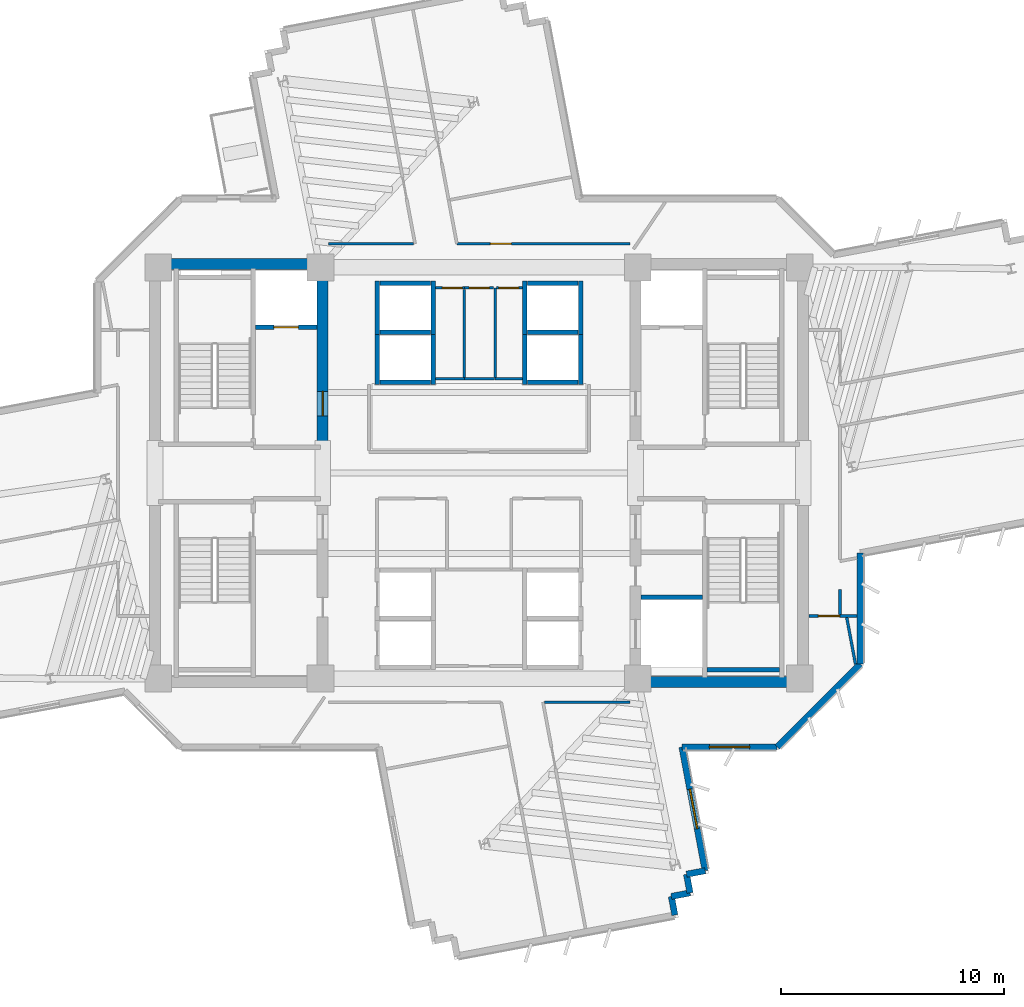
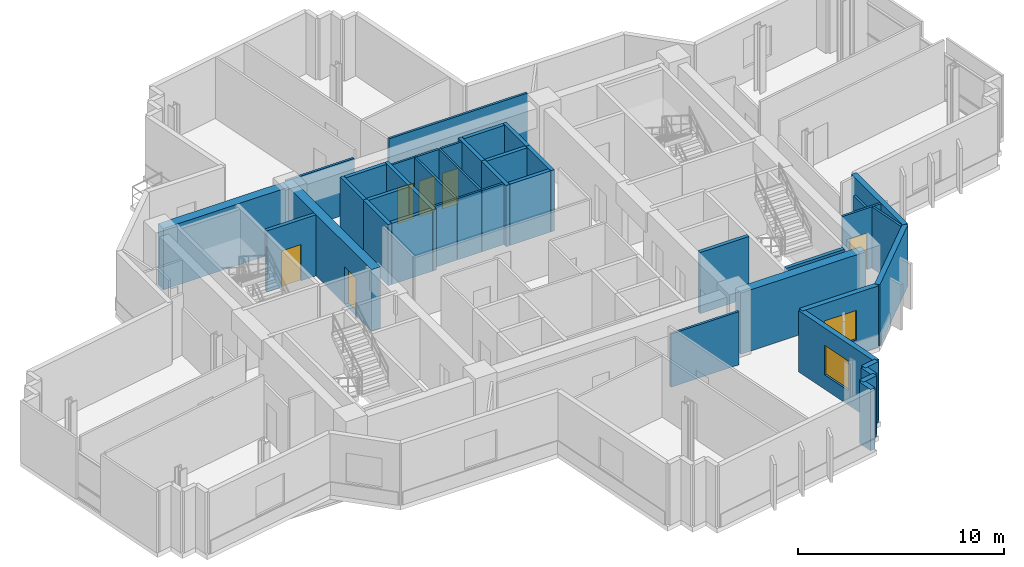
# One storey, part 10 of 16: 42 walls, 7 doors, 2 windows, 9 openings.
"""IFC4 building model written with IfcOpenShell, lengths in metres."""

from ifc_helpers import new_model, si_unit, direction, frame, frame_2d, origin, place, context, subcontext, project, spatial, rectangle, extrude, source, transform, mapped, material, layer, layer_set, type_object, element, fill, save


model = new_model("IFC4")

# Units and contexts
model_context = context("Model", 3, precision=1e-05, world=origin(), true_north=direction((0.0, 1.0)))
body_context = subcontext(model_context, "Body", "Model", "MODEL_VIEW")
ifc_project = project(units=[si_unit("LENGTHUNIT", "METRE"), si_unit("AREAUNIT", "SQUARE_METRE"), si_unit("VOLUMEUNIT", "CUBIC_METRE"), si_unit("PLANEANGLEUNIT", "RADIAN"), si_unit("MASSUNIT", "GRAM", prefix="KILO")], contexts=[model_context])

# Site, building, storey
site_placement = place(None, origin())
site = spatial("IfcSite", under=ifc_project, at=site_placement, CompositionType="ELEMENT")
building_placement = place(site_placement, origin())
building = spatial("IfcBuilding", under=site, at=building_placement, Name="Zahravan Cultural Tower", CompositionType="ELEMENT")
storey_placement = place(building_placement, frame((0.0, 0.0, 147.300048828125)))
storey = spatial("IfcBuildingStorey", under=building, at=storey_placement, Name="L33", CompositionType="ELEMENT", Elevation=147.300048828125)

# Wall, opening, door
ifc_material_1 = material(Name="Concrete C60/75", Category="concrete")
ifc_layer_1 = layer(ifc_material_1, 0.5)
ifc_layer_set_1 = layer_set([ifc_layer_1], Name="Concrete C60/75")
wall_type_1 = type_object("IfcWallType", Name="CW-SHEAR-500-C60", PredefinedType="SHEAR", material=ifc_layer_set_1)
wall_1_placement = place(storey_placement, frame((29.0, 28.050048828125, 0.0), z_axis=(0.0, 0.0, 1.0), x_axis=(0.0, 1.0, 0.0)))
wall_1 = element("IfcWall", 1, at=wall_1_placement, inside=storey, type_object=wall_type_1, Name="L33 Core Shear Wall CW-W-EN-L33", PredefinedType="SHEAR", context=body_context, shape_type="SweptSolid", body=[
    extrude(rectangle(XDim=8.550048828125, YDim=0.5, at=frame_2d((4.27490234375, 0.0))), origin(), (0.0, 0.0, 1.0), 3.619873046875),
])
opening_1_placement = place(wall_1_placement, frame((1.5, 0.0, 0.0)))
opening_1 = element("IfcOpeningElement", 2, at=opening_1_placement, cuts=wall_1, Name="Opening D-L33-05", PredefinedType="OPENING", context=body_context, shape_type="SweptSolid", body=[
    extrude(rectangle(XDim=1.10009765625, YDim=2.199951171875, at=frame_2d((0.550048828125, 1.10009765625))), frame((0.0, 0.260009765625, 0.0), z_axis=(0.0, -1.0, 0.0), x_axis=(1.0, 0.0, 0.0)), (0.0, 0.0, 1.0), 0.52001953125),
])
ifc_material_2 = material(Name="Steel ASTM A572 Grade 50", Category="steel")
door_type_1 = type_object("IfcDoorType", Name="DR-LOBBY-1100", OperationType="NOTDEFINED", PredefinedType="DOOR", material=ifc_material_2)
shared_shape_1 = source(origin(), body_context, "Body", "SweptSolid", [
    extrude(rectangle(XDim=1.10009765625, YDim=2.199951171875, at=frame_2d((0.550048828125, 1.10009765625))), frame((0.0, 0.02490234375, 0.0), z_axis=(0.0, -1.0, 0.0), x_axis=(1.0, 0.0, 0.0)), (0.0, 0.0, 1.0), 0.050048828125),
])
door_1_placement = place(opening_1_placement, origin())
door_1 = element("IfcDoor", 3, at=door_1_placement, inside=storey, type_object=door_type_1, Name="L33 Door D-L33-05", OperationType="SINGLE_SWING_LEFT", OverallHeight=2.199951171875, OverallWidth=1.10009765625, PredefinedType="DOOR", context=body_context, shape_type="MappedRepresentation", body=[
    mapped(shared_shape_1, transform((0.0, 0.0, 0.0), x_axis=(1.0, 0.0, 0.0), y_axis=(0.0, 1.0, 0.0), z_axis=(0.0, 0.0, 1.0), scale=1.0)),
])
fill(opening_1, door_1)

# Wall, opening, window
ifc_material_3 = material(Name="Precast concrete C40/50", Category="concrete")
ifc_layer_2 = layer(ifc_material_3, 0.280029296875)
ifc_layer_set_2 = layer_set([ifc_layer_2], Name="Precast concrete C40/50")
wall_type_2 = type_object("IfcWallType", Name="EW-TC-280", PredefinedType="SOLIDWALL", material=ifc_layer_set_2)
wall_2_placement = place(storey_placement, frame((49.342041015625, 14.739990234375, 0.0), z_axis=(0.0, 0.0, 1.0), x_axis=(-1.0, 0.0, 0.0)))
wall_2 = element("IfcWall", 4, at=wall_2_placement, inside=storey, type_object=wall_type_2, Name="L33 Exterior Masonry Frame Wall 13", PredefinedType="SOLIDWALL", context=body_context, shape_type="SweptSolid", body=[
    extrude(rectangle(XDim=4.262451171875, YDim=0.280029296875, at=frame_2d((2.13134765625, 0.0))), origin(), (0.0, 0.0, 1.0), 3.619873046875),
])
opening_2_placement = place(wall_2_placement, frame((1.23095703125, 0.0, 0.85009765625)))
opening_2 = element("IfcOpeningElement", 5, at=opening_2_placement, cuts=wall_2, Name="Opening WN-02", PredefinedType="OPENING", context=body_context, shape_type="SweptSolid", body=[
    extrude(rectangle(XDim=1.800048828125, YDim=1.75, at=frame_2d((0.89990234375, 0.875))), frame((0.0, 0.14990234375, 0.0), z_axis=(0.0, -1.0, 0.0), x_axis=(1.0, 0.0, 0.0)), (0.0, 0.0, 1.0), 0.300048828125),
])
ifc_material_4 = material(Name="Low-E solar-control double glazing", Category="glass")
window_type = type_object("IfcWindowType", Name="WN-REC-1800X1750", PartitioningType="DOUBLE_PANEL_VERTICAL", PredefinedType="WINDOW", material=ifc_material_4)
shared_shape_2 = source(origin(), body_context, "Body", "SweptSolid", [
    extrude(rectangle(XDim=1.800048828125, YDim=1.75, at=frame_2d((0.89990234375, 0.875))), frame((0.0, 0.030029296875, 0.0), z_axis=(0.0, -1.0, 0.0), x_axis=(1.0, 0.0, 0.0)), (0.0, 0.0, 1.0), 0.06005859375),
])
window_1_placement = place(opening_2_placement, origin())
window_1 = element("IfcWindow", 6, at=window_1_placement, inside=storey, type_object=window_type, Name="L33 Recessed Solar Window 03", OverallHeight=1.75, OverallWidth=1.800048828125, PartitioningType="DOUBLE_PANEL_VERTICAL", PredefinedType="WINDOW", context=body_context, shape_type="MappedRepresentation", body=[
    mapped(shared_shape_2, transform((0.0, 0.0, 0.0), x_axis=(1.0, 0.0, 0.0), y_axis=(0.0, 1.0, 0.0), z_axis=(0.0, 0.0, 1.0), scale=1.0)),
])
fill(opening_2, window_1)

wall_3_placement = place(storey_placement, frame((45.07958984375, 14.739990234375, 0.0), z_axis=(0.0, 0.0, 1.0), x_axis=(0.184678339457, -0.982799018587, 0.0)))
wall_3 = element("IfcWall", 7, at=wall_3_placement, inside=storey, type_object=wall_type_2, Name="L33 Exterior Masonry Frame Wall 14", PredefinedType="SOLIDWALL", context=body_context, shape_type="SweptSolid", body=[
    extrude(rectangle(XDim=5.63427734375, YDim=0.280029296875, at=frame_2d((2.817138671875, 0.0))), origin(), (0.0, 0.0, 1.0), 3.619873046875),
])
opening_3_placement = place(wall_3_placement, frame((1.9169921875, 0.0, 0.85009765625)))
opening_3 = element("IfcOpeningElement", 8, at=opening_3_placement, cuts=wall_3, Name="Opening WN-02", PredefinedType="OPENING", context=body_context, shape_type="SweptSolid", body=[
    extrude(rectangle(XDim=1.800048828125, YDim=1.75, at=frame_2d((0.89990234375, 0.875))), frame((0.0, 0.14990234375, 0.0), z_axis=(0.0, -1.0, 0.0), x_axis=(1.0, 0.0, 0.0)), (0.0, 0.0, 1.0), 0.300048828125),
])
window_2_placement = place(opening_3_placement, origin())
window_2 = element("IfcWindow", 9, at=window_2_placement, inside=storey, type_object=window_type, Name="L33 Recessed Solar Window 04", OverallHeight=1.75, OverallWidth=1.800048828125, PartitioningType="DOUBLE_PANEL_VERTICAL", PredefinedType="WINDOW", context=body_context, shape_type="MappedRepresentation", body=[
    mapped(shared_shape_2, transform((0.0, 0.0, 0.0), x_axis=(1.0, 0.0, 0.0), y_axis=(0.0, 1.0, 0.0), z_axis=(0.0, 0.0, 1.0), scale=1.0)),
])
fill(opening_3, window_2)

# Wall, opening, door
ifc_material_5 = material(Name="Gypsum plasterboard partition")
ifc_layer_3 = layer(ifc_material_5, 0.125)
ifc_layer_set_3 = layer_set([ifc_layer_3], Name="Gypsum plasterboard partition")
wall_type_3 = type_object("IfcWallType", Name="W-PART-125", PredefinedType="PARTITIONING", material=ifc_layer_set_3)
wall_4_placement = place(storey_placement, frame((50.7548828125, 20.60009765625, 0.0), z_axis=(0.0, 0.0, 1.0), x_axis=(0.99999875384, 0.001578708001, 0.0)))
wall_4 = element("IfcWall", 10, at=wall_4_placement, inside=storey, type_object=wall_type_3, Name="L33 Interior Wall 065", PredefinedType="PARTITIONING", context=body_context, shape_type="SweptSolid", body=[
    extrude(rectangle(XDim=2.1650390625, YDim=0.125, at=frame_2d((1.08251953125, 0.0))), origin(), (0.0, 0.0, 1.0), 3.619873046875),
])
opening_4_placement = place(wall_4_placement, frame((0.42529296875, 0.0, 0.0)))
opening_4 = element("IfcOpeningElement", 11, at=opening_4_placement, cuts=wall_4, Name="Opening D-L33-18", PredefinedType="OPENING", context=body_context, shape_type="SweptSolid", body=[
    extrude(rectangle(XDim=0.949951171875, YDim=2.14990234375, at=frame_2d((0.47509765625, 1.074951171875))), frame((0.0, 0.072509765625, 0.0), z_axis=(0.0, -1.0, 0.0), x_axis=(1.0, 0.0, 0.0)), (0.0, 0.0, 1.0), 0.14501953125),
])
ifc_material_6 = material(Name="Anodised bronze-aluminium mullion", Category="aluminium")
door_type_2 = type_object("IfcDoorType", Name="DR-ROOM-950", OperationType="NOTDEFINED", PredefinedType="DOOR", material=ifc_material_6)
shared_shape_3 = source(origin(), body_context, "Body", "SweptSolid", [
    extrude(rectangle(XDim=0.949951171875, YDim=2.14990234375, at=frame_2d((0.47509765625, 1.074951171875))), frame((0.0, 0.02490234375, 0.0), z_axis=(0.0, -1.0, 0.0), x_axis=(1.0, 0.0, 0.0)), (0.0, 0.0, 1.0), 0.050048828125),
])
door_2_placement = place(opening_4_placement, origin())
door_2 = element("IfcDoor", 12, at=door_2_placement, inside=storey, type_object=door_type_2, Name="L33 Door D-L33-18", OperationType="SINGLE_SWING_RIGHT", OverallHeight=2.14990234375, OverallWidth=0.949951171875, PredefinedType="DOOR", context=body_context, shape_type="MappedRepresentation", body=[
    mapped(shared_shape_3, transform((0.0, 0.0, 0.0), x_axis=(1.0, 0.0, 0.0), y_axis=(0.0, 1.0, 0.0), z_axis=(0.0, 0.0, 1.0), scale=1.0)),
])
fill(opening_4, door_2)

wall_5_placement = place(storey_placement, frame((42.7490234375, 37.259033203125, 0.0), z_axis=(0.0, 0.0, 1.0), x_axis=(-0.999999992041, 0.000126163065, 0.0)))
wall_5 = element("IfcWall", 13, at=wall_5_placement, inside=storey, type_object=wall_type_3, Name="L33 Interior Wall 076", PredefinedType="PARTITIONING", context=body_context, shape_type="SweptSolid", body=[
    extrude(rectangle(XDim=7.740478515625, YDim=0.125, at=frame_2d((3.8701171875, 0.0))), origin(), (0.0, 0.0, 1.0), 3.619873046875),
])
opening_5_placement = place(wall_5_placement, frame((5.29638671875, 0.0, 0.0)))
opening_5 = element("IfcOpeningElement", 14, at=opening_5_placement, cuts=wall_5, Name="Opening D-L33-21", PredefinedType="OPENING", context=body_context, shape_type="SweptSolid", body=[
    extrude(rectangle(XDim=0.949951171875, YDim=2.14990234375, at=frame_2d((0.47509765625, 1.074951171875))), frame((0.0, 0.072509765625, 0.0), z_axis=(0.0, -1.0, 0.0), x_axis=(1.0, 0.0, 0.0)), (0.0, 0.0, 1.0), 0.14501953125),
])
door_3_placement = place(opening_5_placement, origin())
door_3 = element("IfcDoor", 15, at=door_3_placement, inside=storey, type_object=door_type_2, Name="L33 Door D-L33-21", OperationType="SINGLE_SWING_LEFT", OverallHeight=2.14990234375, OverallWidth=0.949951171875, PredefinedType="DOOR", context=body_context, shape_type="MappedRepresentation", body=[
    mapped(shared_shape_3, transform((0.0, 0.0, 0.0), x_axis=(1.0, 0.0, 0.0), y_axis=(0.0, 1.0, 0.0), z_axis=(0.0, 0.0, 1.0), scale=1.0)),
])
fill(opening_5, door_3)

ifc_material_7 = material(Name="Concrete C45/55", Category="concrete")
ifc_layer_4 = layer(ifc_material_7, 0.199951171875)
ifc_layer_set_4 = layer_set([ifc_layer_4], Name="Concrete C45/55")
wall_type_4 = type_object("IfcWallType", Name="W-SHAFT-200", PredefinedType="SOLIDWALL", material=ifc_layer_set_4)
wall_6_placement = place(storey_placement, frame((26.0, 33.52001953125, 0.0), z_axis=(0.0, 0.0, 1.0), x_axis=(1.0, 0.0, 0.0)))
wall_6 = element("IfcWall", 16, at=wall_6_placement, inside=storey, type_object=wall_type_4, Name="L33 Interior Wall 021", PredefinedType="SOLIDWALL", context=body_context, shape_type="SweptSolid", body=[
    extrude(rectangle(XDim=2.75, YDim=0.199951171875, at=frame_2d((1.375, 0.0))), origin(), (0.0, 0.0, 1.0), 3.619873046875),
])
opening_6_placement = place(wall_6_placement, frame((0.820068359375, 0.0, 0.0)))
opening_6 = element("IfcOpeningElement", 17, at=opening_6_placement, cuts=wall_6, Name="Opening LD-L33-01", PredefinedType="OPENING", context=body_context, shape_type="SweptSolid", body=[
    extrude(rectangle(XDim=1.10009765625, YDim=2.14990234375, at=frame_2d((0.550048828125, 1.074951171875))), frame((0.0, 0.10986328125, 0.0), z_axis=(0.0, -1.0, 0.0), x_axis=(1.0, 0.0, 0.0)), (0.0, 0.0, 1.0), 0.219970703125),
])
door_type_3 = type_object("IfcDoorType", Name="DR-LIFT-1100", OperationType="DOUBLE_DOOR_SLIDING", PredefinedType="DOOR", material=ifc_material_2)
shared_shape_4 = source(origin(), body_context, "Body", "SweptSolid", [
    extrude(rectangle(XDim=1.10009765625, YDim=2.14990234375, at=frame_2d((0.550048828125, 1.074951171875))), frame((0.0, 0.02490234375, 0.0), z_axis=(0.0, -1.0, 0.0), x_axis=(1.0, 0.0, 0.0)), (0.0, 0.0, 1.0), 0.050048828125),
])
door_4_placement = place(opening_6_placement, origin())
door_4 = element("IfcDoor", 18, at=door_4_placement, inside=storey, type_object=door_type_3, Name="L33 Door LD-L33-01", OperationType="DOUBLE_DOOR_SLIDING", OverallHeight=2.14990234375, OverallWidth=1.10009765625, PredefinedType="DOOR", context=body_context, shape_type="MappedRepresentation", body=[
    mapped(shared_shape_4, transform((0.0, 0.0, 0.0), x_axis=(1.0, 0.0, 0.0), y_axis=(0.0, 1.0, 0.0), z_axis=(0.0, 0.0, 1.0), scale=1.0)),
])
fill(opening_6, door_4)

ifc_layer_5 = layer(ifc_material_5, 0.114990234375)
ifc_layer_set_5 = layer_set([ifc_layer_5], Name="Gypsum plasterboard partition")
wall_type_5 = type_object("IfcWallType", Name="W-WC-115", PredefinedType="PARTITIONING", material=ifc_layer_set_5)
wall_7_placement = place(storey_placement, frame((36.782470703125, 35.280029296875, 0.0), z_axis=(0.0, 0.0, 1.0), x_axis=(1.0, 0.0, 0.0)))
wall_7 = element("IfcWall", 19, at=wall_7_placement, inside=storey, type_object=wall_type_5, Name="L33 Interior Wall 056", PredefinedType="PARTITIONING", context=body_context, shape_type="SweptSolid", body=[
    extrude(rectangle(XDim=1.16259765625, YDim=0.114990234375, at=frame_2d((0.581298828125, 0.0))), origin(), (0.0, 0.0, 1.0), 3.619873046875),
])
opening_7_placement = place(wall_7_placement, frame((0.0888671875, 0.0, 0.0)))
opening_7 = element("IfcOpeningElement", 20, at=opening_7_placement, cuts=wall_7, Name="Opening D-L33-15", PredefinedType="OPENING", context=body_context, shape_type="SweptSolid", body=[
    extrude(rectangle(XDim=0.89990234375, YDim=2.10009765625, at=frame_2d((0.449951171875, 1.050048828125))), frame((0.0, 0.0673828125, 0.0), z_axis=(0.0, -1.0, 0.0), x_axis=(1.0, 0.0, 0.0)), (0.0, 0.0, 1.0), 0.135009765625),
])
door_type_4 = type_object("IfcDoorType", Name="DR-WC-900", OperationType="NOTDEFINED", PredefinedType="DOOR", material=ifc_material_6)
shared_shape_5 = source(origin(), body_context, "Body", "SweptSolid", [
    extrude(rectangle(XDim=0.89990234375, YDim=2.10009765625, at=frame_2d((0.449951171875, 1.050048828125))), frame((0.0, 0.02490234375, 0.0), z_axis=(0.0, -1.0, 0.0), x_axis=(1.0, 0.0, 0.0)), (0.0, 0.0, 1.0), 0.050048828125),
])
door_5_placement = place(opening_7_placement, origin())
door_5 = element("IfcDoor", 21, at=door_5_placement, inside=storey, type_object=door_type_4, Name="L33 Door D-L33-15", OperationType="SINGLE_SWING_LEFT", OverallHeight=2.10009765625, OverallWidth=0.89990234375, PredefinedType="DOOR", context=body_context, shape_type="MappedRepresentation", body=[
    mapped(shared_shape_5, transform((0.0, 0.0, 0.0), x_axis=(1.0, 0.0, 0.0), y_axis=(0.0, 1.0, 0.0), z_axis=(0.0, 0.0, 1.0), scale=1.0)),
])
fill(opening_7, door_5)

wall_8_placement = place(storey_placement, frame((34.054931640625, 35.280029296875, 0.0), z_axis=(0.0, 0.0, 1.0), x_axis=(1.0, 0.0, 0.0)))
wall_8 = element("IfcWall", 22, at=wall_8_placement, inside=storey, type_object=wall_type_5, Name="L33 Interior Wall 058", PredefinedType="PARTITIONING", context=body_context, shape_type="SweptSolid", body=[
    extrude(rectangle(XDim=1.28515625, YDim=0.114990234375, at=frame_2d((0.642578125, 0.0))), origin(), (0.0, 0.0, 1.0), 3.619873046875),
])
opening_8_placement = place(wall_8_placement, frame((0.30029296875, 0.0, 0.0)))
opening_8 = element("IfcOpeningElement", 23, at=opening_8_placement, cuts=wall_8, Name="Opening D-L33-13", PredefinedType="OPENING", context=body_context, shape_type="SweptSolid", body=[
    extrude(rectangle(XDim=0.89990234375, YDim=2.10009765625, at=frame_2d((0.449951171875, 1.050048828125))), frame((0.0, 0.0673828125, 0.0), z_axis=(0.0, -1.0, 0.0), x_axis=(1.0, 0.0, 0.0)), (0.0, 0.0, 1.0), 0.135009765625),
])
door_6_placement = place(opening_8_placement, origin())
door_6 = element("IfcDoor", 24, at=door_6_placement, inside=storey, type_object=door_type_4, Name="L33 Door D-L33-13", OperationType="SINGLE_SWING_LEFT", OverallHeight=2.10009765625, OverallWidth=0.89990234375, PredefinedType="DOOR", context=body_context, shape_type="MappedRepresentation", body=[
    mapped(shared_shape_5, transform((0.0, 0.0, 0.0), x_axis=(1.0, 0.0, 0.0), y_axis=(0.0, 1.0, 0.0), z_axis=(0.0, 0.0, 1.0), scale=1.0)),
])
fill(opening_8, door_6)

wall_9_placement = place(storey_placement, frame((35.360107421875, 35.280029296875, 0.0), z_axis=(0.0, 0.0, 1.0), x_axis=(1.0, 0.0, 0.0)))
wall_9 = element("IfcWall", 25, at=wall_9_placement, inside=storey, type_object=wall_type_5, Name="L33 Interior Wall 061", PredefinedType="PARTITIONING", context=body_context, shape_type="SweptSolid", body=[
    extrude(rectangle(XDim=1.29736328125, YDim=0.114990234375, at=frame_2d((0.648681640625, 0.0))), origin(), (0.0, 0.0, 1.0), 3.619873046875),
])
opening_9_placement = place(wall_9_placement, frame((0.19873046875, 0.0, 0.0)))
opening_9 = element("IfcOpeningElement", 26, at=opening_9_placement, cuts=wall_9, Name="Opening D-L33-14", PredefinedType="OPENING", context=body_context, shape_type="SweptSolid", body=[
    extrude(rectangle(XDim=0.89990234375, YDim=2.10009765625, at=frame_2d((0.449951171875, 1.050048828125))), frame((0.0, 0.0673828125, 0.0), z_axis=(0.0, -1.0, 0.0), x_axis=(1.0, 0.0, 0.0)), (0.0, 0.0, 1.0), 0.135009765625),
])
door_7_placement = place(opening_9_placement, origin())
door_7 = element("IfcDoor", 27, at=door_7_placement, inside=storey, type_object=door_type_4, Name="L33 Door D-L33-14", OperationType="SINGLE_SWING_RIGHT", OverallHeight=2.10009765625, OverallWidth=0.89990234375, PredefinedType="DOOR", context=body_context, shape_type="MappedRepresentation", body=[
    mapped(shared_shape_5, transform((0.0, 0.0, 0.0), x_axis=(1.0, 0.0, 0.0), y_axis=(0.0, 1.0, 0.0), z_axis=(0.0, 0.0, 1.0), scale=1.0)),
])
fill(opening_9, door_7)

# Walls
shared_shape_6 = source(origin(), body_context, "Body", "SweptSolid", [
    extrude(rectangle(XDim=7.0, YDim=0.5, at=frame_2d((3.5, 0.0))), origin(), (0.0, 0.0, 1.0), 3.619873046875),
])
for number, where, z_axis, x_axis, name in (
    (28, (21.75, 36.35009765625, 0.0), (0.0, 0.0, 1.0), (1.0, 0.0, 0.0), "L33 Core Shear Wall CW-W-N-L33"),
    (29, (43.25, 17.64990234375, 0.0), (0.0, 0.0, 1.0), (1.0, 0.0, 0.0), "L33 Core Shear Wall CW-E-S-L33"),
):
    element("IfcWall", number, at=place(storey_placement, frame(where, z_axis=z_axis, x_axis=x_axis)), inside=storey, type_object=wall_type_1, Name=name, PredefinedType="SHEAR", context=body_context, shape_type="MappedRepresentation", body=[
        mapped(shared_shape_6, transform((0.0, 0.0, 0.0), x_axis=(1.0, 0.0, 0.0), y_axis=(0.0, 1.0, 0.0), z_axis=(0.0, 0.0, 1.0), scale=1.0)),
    ])
shared_shape_7 = source(origin(), body_context, "Body", "SweptSolid", [
    extrude(rectangle(XDim=0.85009765625, YDim=0.280029296875, at=frame_2d((0.425048828125, 0.0))), origin(), (0.0, 0.0, 1.0), 3.619873046875),
])
for number, where, z_axis, x_axis, name in (
    (30, (46.1201171875, 9.20263671875, 0.0), (0.0, 0.0, 1.0), (-0.982800583684, -0.184670010318, 0.0), "L33 Exterior Masonry Frame Wall 15"),
    (31, (45.28466796875, 9.045654296875, 0.0), (0.0, 0.0, 1.0), (0.184670010318, -0.982800583684, 0.0), "L33 Exterior Masonry Frame Wall 16"),
    (32, (45.441650390625, 8.210205078125, 0.0), (0.0, 0.0, 1.0), (-0.982800583684, -0.184670010318, 0.0), "L33 Exterior Masonry Frame Wall 17"),
    (33, (44.606201171875, 8.05322265625, 0.0), (0.0, 0.0, 1.0), (0.184670010318, -0.982800583684, 0.0), "L33 Exterior Masonry Frame Wall 18"),
):
    element("IfcWall", number, at=place(storey_placement, frame(where, z_axis=z_axis, x_axis=x_axis)), inside=storey, type_object=wall_type_2, Name=name, PredefinedType="SOLIDWALL", context=body_context, shape_type="MappedRepresentation", body=[
        mapped(shared_shape_7, transform((0.0, 0.0, 0.0), x_axis=(1.0, 0.0, 0.0), y_axis=(0.0, 1.0, 0.0), z_axis=(0.0, 0.0, 1.0), scale=1.0)),
    ])
shared_shape_8 = source(origin(), body_context, "Body", "SweptSolid", [
    extrude(rectangle(XDim=5.258056640625, YDim=0.280029296875, at=frame_2d((2.62890625, 0.0))), origin(), (0.0, 0.0, 1.0), 3.619873046875),
])
wall_10_placement = place(storey_placement, frame((53.06005859375, 18.4580078125, 0.0), z_axis=(0.0, 0.0, 1.0), x_axis=(-0.707106781187, -0.707106781187, 0.0)))
element("IfcWall", 34, at=wall_10_placement, inside=storey, type_object=wall_type_2, Name="L33 Exterior Masonry Frame Wall 12", PredefinedType="SOLIDWALL", context=body_context, shape_type="MappedRepresentation", body=[
    mapped(shared_shape_8, transform((0.0, 0.0, 0.0), x_axis=(1.0, 0.0, 0.0), y_axis=(0.0, 1.0, 0.0), z_axis=(0.0, 0.0, 1.0), scale=1.0)),
])
shared_shape_9 = source(origin(), body_context, "Body", "SweptSolid", [
    extrude(rectangle(XDim=4.970458984375, YDim=0.280029296875, at=frame_2d((2.4853515625, 0.0))), origin(), (0.0, 0.0, 1.0), 3.619873046875),
])
wall_11_placement = place(storey_placement, frame((53.06005859375, 23.428466796875, 0.0), z_axis=(0.0, 0.0, 1.0), x_axis=(0.0, -1.0, 0.0)))
element("IfcWall", 35, at=wall_11_placement, inside=storey, type_object=wall_type_2, Name="L33 Exterior Masonry Frame Wall 11", PredefinedType="SOLIDWALL", context=body_context, shape_type="MappedRepresentation", body=[
    mapped(shared_shape_9, transform((0.0, 0.0, 0.0), x_axis=(1.0, 0.0, 0.0), y_axis=(0.0, 1.0, 0.0), z_axis=(0.0, 0.0, 1.0), scale=1.0)),
])
shared_shape_10 = source(origin(), body_context, "Body", "SweptSolid", [
    extrude(rectangle(XDim=3.25, YDim=0.199951171875, at=frame_2d((1.625, 0.0))), origin(), (0.0, 0.0, 1.0), 3.619873046875),
])
wall_12_placement = place(storey_placement, frame((46.199951171875, 18.199951171875, 0.0), z_axis=(0.0, 0.0, 1.0), x_axis=(1.0, 0.0, 0.0)))
element("IfcWall", 36, at=wall_12_placement, inside=storey, type_object=wall_type_4, Name="L33 Interior Wall 020", PredefinedType="SOLIDWALL", context=body_context, shape_type="MappedRepresentation", body=[
    mapped(shared_shape_10, transform((0.0, 0.0, 0.0), x_axis=(1.0, 0.0, 0.0), y_axis=(0.0, 1.0, 0.0), z_axis=(0.0, 0.0, 1.0), scale=1.0)),
])
shared_shape_11 = source(origin(), body_context, "Body", "SweptSolid", [
    extrude(rectangle(XDim=2.75, YDim=0.199951171875, at=frame_2d((1.375, 0.0))), origin(), (0.0, 0.0, 1.0), 3.619873046875),
])
wall_13_placement = place(storey_placement, frame((43.25, 21.449951171875, 0.0), z_axis=(0.0, 0.0, 1.0), x_axis=(1.0, 0.0, 0.0)))
element("IfcWall", 37, at=wall_13_placement, inside=storey, type_object=wall_type_4, Name="L33 Interior Wall 025", PredefinedType="SOLIDWALL", context=body_context, shape_type="MappedRepresentation", body=[
    mapped(shared_shape_11, transform((0.0, 0.0, 0.0), x_axis=(1.0, 0.0, 0.0), y_axis=(0.0, 1.0, 0.0), z_axis=(0.0, 0.0, 1.0), scale=1.0)),
])
shared_shape_12 = source(origin(), body_context, "Body", "SweptSolid", [
    extrude(rectangle(XDim=2.400146484375, YDim=0.199951171875, at=frame_2d((1.2001953125, 0.0))), origin(), (0.0, 0.0, 1.0), 3.619873046875),
])
for number, where, z_axis, x_axis, name in (
    (38, (31.449951171875, 33.199951171875, 0.0), (0.0, 0.0, 1.0), (0.0, 1.0, 0.0), "L33 Interior Wall 026"),
    (39, (33.949951171875, 33.199951171875, 0.0), (0.0, 0.0, 1.0), (0.0, 1.0, 0.0), "L33 Interior Wall 027"),
    (40, (31.449951171875, 30.949951171875, 0.0), (0.0, 0.0, 1.0), (0.0, 1.0, 0.0), "L33 Interior Wall 030"),
    (41, (33.949951171875, 30.949951171875, 0.0), (0.0, 0.0, 1.0), (0.0, 1.0, 0.0), "L33 Interior Wall 031"),
    (42, (38.050048828125, 33.199951171875, 0.0), (0.0, 0.0, 1.0), (0.0, 1.0, 0.0), "L33 Interior Wall 033"),
    (43, (40.550048828125, 33.199951171875, 0.0), (0.0, 0.0, 1.0), (0.0, 1.0, 0.0), "L33 Interior Wall 034"),
    (44, (38.050048828125, 30.949951171875, 0.0), (0.0, 0.0, 1.0), (0.0, 1.0, 0.0), "L33 Interior Wall 037"),
    (45, (40.550048828125, 30.949951171875, 0.0), (0.0, 0.0, 1.0), (0.0, 1.0, 0.0), "L33 Interior Wall 038"),
):
    element("IfcWall", number, at=place(storey_placement, frame(where, z_axis=z_axis, x_axis=x_axis)), inside=storey, type_object=wall_type_4, Name=name, PredefinedType="SOLIDWALL", context=body_context, shape_type="MappedRepresentation", body=[
        mapped(shared_shape_12, transform((0.0, 0.0, 0.0), x_axis=(1.0, 0.0, 0.0), y_axis=(0.0, 1.0, 0.0), z_axis=(0.0, 0.0, 1.0), scale=1.0)),
    ])
shared_shape_13 = source(origin(), body_context, "Body", "SweptSolid", [
    extrude(rectangle(XDim=2.260009765625, YDim=0.199951171875, at=frame_2d((1.1298828125, 0.0))), origin(), (0.0, 0.0, 1.0), 3.619873046875),
])
for number, where, z_axis, x_axis, name in (
    (46, (31.570068359375, 33.300048828125, 0.0), (0.0, 0.0, 1.0), (1.0, 0.0, 0.0), "L33 Interior Wall 028"),
    (47, (31.570068359375, 35.5, 0.0), (0.0, 0.0, 1.0), (1.0, 0.0, 0.0), "L33 Interior Wall 029"),
    (48, (31.570068359375, 31.050048828125, 0.0), (0.0, 0.0, 1.0), (1.0, 0.0, 0.0), "L33 Interior Wall 032"),
    (49, (38.169921875, 33.300048828125, 0.0), (0.0, 0.0, 1.0), (1.0, 0.0, 0.0), "L33 Interior Wall 035"),
    (50, (38.169921875, 35.5, 0.0), (0.0, 0.0, 1.0), (1.0, 0.0, 0.0), "L33 Interior Wall 036"),
    (51, (38.169921875, 31.050048828125, 0.0), (0.0, 0.0, 1.0), (1.0, 0.0, 0.0), "L33 Interior Wall 039"),
):
    element("IfcWall", number, at=place(storey_placement, frame(where, z_axis=z_axis, x_axis=x_axis)), inside=storey, type_object=wall_type_4, Name=name, PredefinedType="SOLIDWALL", context=body_context, shape_type="MappedRepresentation", body=[
        mapped(shared_shape_13, transform((0.0, 0.0, 0.0), x_axis=(1.0, 0.0, 0.0), y_axis=(0.0, 1.0, 0.0), z_axis=(0.0, 0.0, 1.0), scale=1.0)),
    ])
shared_shape_14 = source(origin(), body_context, "Body", "SweptSolid", [
    extrude(rectangle(XDim=1.22509765625, YDim=0.114990234375, at=frame_2d((0.612548828125, 0.0))), origin(), (0.0, 0.0, 1.0), 3.619873046875),
])
wall_14_placement = place(storey_placement, frame((37.945068359375, 31.219970703125, 0.0), z_axis=(0.0, 0.0, 1.0), x_axis=(-1.0, 0.0, 0.0)))
element("IfcWall", 52, at=wall_14_placement, inside=storey, type_object=wall_type_5, Name="L33 Interior Wall 054", PredefinedType="PARTITIONING", context=body_context, shape_type="MappedRepresentation", body=[
    mapped(shared_shape_14, transform((0.0, 0.0, 0.0), x_axis=(1.0, 0.0, 0.0), y_axis=(0.0, 1.0, 0.0), z_axis=(0.0, 0.0, 1.0), scale=1.0)),
])
shared_shape_15 = source(origin(), body_context, "Body", "SweptSolid", [
    extrude(rectangle(XDim=3.99755859375, YDim=0.114990234375, at=frame_2d((1.998779296875, 0.0))), origin(), (0.0, 0.0, 1.0), 3.619873046875),
])
wall_15_placement = place(storey_placement, frame((36.719970703125, 31.282470703125, 0.0), z_axis=(0.0, 0.0, 1.0), x_axis=(0.0, 1.0, 0.0)))
element("IfcWall", 53, at=wall_15_placement, inside=storey, type_object=wall_type_5, Name="L33 Interior Wall 055", PredefinedType="PARTITIONING", context=body_context, shape_type="MappedRepresentation", body=[
    mapped(shared_shape_15, transform((0.0, 0.0, 0.0), x_axis=(1.0, 0.0, 0.0), y_axis=(0.0, 1.0, 0.0), z_axis=(0.0, 0.0, 1.0), scale=1.0)),
])
shared_shape_16 = source(origin(), body_context, "Body", "SweptSolid", [
    extrude(rectangle(XDim=1.28515625, YDim=0.114990234375, at=frame_2d((0.642578125, 0.0))), origin(), (0.0, 0.0, 1.0), 3.619873046875),
])
wall_16_placement = place(storey_placement, frame((35.340087890625, 31.219970703125, 0.0), z_axis=(0.0, 0.0, 1.0), x_axis=(-1.0, 0.0, 0.0)))
element("IfcWall", 54, at=wall_16_placement, inside=storey, type_object=wall_type_5, Name="L33 Interior Wall 057", PredefinedType="PARTITIONING", context=body_context, shape_type="MappedRepresentation", body=[
    mapped(shared_shape_16, transform((0.0, 0.0, 0.0), x_axis=(1.0, 0.0, 0.0), y_axis=(0.0, 1.0, 0.0), z_axis=(0.0, 0.0, 1.0), scale=1.0)),
])
shared_shape_17 = source(origin(), body_context, "Body", "SweptSolid", [
    extrude(rectangle(XDim=3.93505859375, YDim=0.114990234375, at=frame_2d((1.967529296875, 0.0))), origin(), (0.0, 0.0, 1.0), 3.619873046875),
])
wall_17_placement = place(storey_placement, frame((35.340087890625, 35.217529296875, 0.0), z_axis=(0.0, 0.0, 1.0), x_axis=(0.0, -1.0, 0.0)))
element("IfcWall", 55, at=wall_17_placement, inside=storey, type_object=wall_type_5, Name="L33 Interior Wall 059", PredefinedType="PARTITIONING", context=body_context, shape_type="MappedRepresentation", body=[
    mapped(shared_shape_17, transform((0.0, 0.0, 0.0), x_axis=(1.0, 0.0, 0.0), y_axis=(0.0, 1.0, 0.0), z_axis=(0.0, 0.0, 1.0), scale=1.0)),
])
shared_shape_18 = source(origin(), body_context, "Body", "SweptSolid", [
    extrude(rectangle(XDim=1.33984375, YDim=0.114990234375, at=frame_2d((0.669921875, 0.0))), origin(), (0.0, 0.0, 1.0), 3.619873046875),
])
wall_18_placement = place(storey_placement, frame((36.699951171875, 31.219970703125, 0.0), z_axis=(0.0, 0.0, 1.0), x_axis=(-1.0, 0.0, 0.0)))
element("IfcWall", 56, at=wall_18_placement, inside=storey, type_object=wall_type_5, Name="L33 Interior Wall 060", PredefinedType="PARTITIONING", context=body_context, shape_type="MappedRepresentation", body=[
    mapped(shared_shape_18, transform((0.0, 0.0, 0.0), x_axis=(1.0, 0.0, 0.0), y_axis=(0.0, 1.0, 0.0), z_axis=(0.0, 0.0, 1.0), scale=1.0)),
])
shared_shape_19 = source(origin(), body_context, "Body", "SweptSolid", [
    extrude(rectangle(XDim=1.126953125, YDim=0.125, at=frame_2d((0.5634765625, 0.0))), origin(), (0.0, 0.0, 1.0), 3.619873046875),
])
wall_19_placement = place(storey_placement, frame((52.148681640625, 20.669921875, 0.0), z_axis=(0.0, 0.0, 1.0), x_axis=(0.001083188273, 0.999999413351, 0.0)))
element("IfcWall", 57, at=wall_19_placement, inside=storey, type_object=wall_type_3, Name="L33 Interior Wall 066", PredefinedType="PARTITIONING", context=body_context, shape_type="MappedRepresentation", body=[
    mapped(shared_shape_19, transform((0.0, 0.0, 0.0), x_axis=(1.0, 0.0, 0.0), y_axis=(0.0, 1.0, 0.0), z_axis=(0.0, 0.0, 1.0), scale=1.0)),
])
shared_shape_20 = source(origin(), body_context, "Body", "SweptSolid", [
    extrude(rectangle(XDim=2.124267578125, YDim=0.125, at=frame_2d((1.06201171875, 0.0))), origin(), (0.0, 0.0, 1.0), 3.619873046875),
])
wall_20_placement = place(storey_placement, frame((52.452392578125, 20.535400390625, 0.0), z_axis=(0.0, 0.0, 1.0), x_axis=(0.184697942122, -0.982795334836, 0.0)))
element("IfcWall", 58, at=wall_20_placement, inside=storey, type_object=wall_type_3, Name="L33 Interior Wall 067", PredefinedType="PARTITIONING", context=body_context, shape_type="MappedRepresentation", body=[
    mapped(shared_shape_20, transform((0.0, 0.0, 0.0), x_axis=(1.0, 0.0, 0.0), y_axis=(0.0, 1.0, 0.0), z_axis=(0.0, 0.0, 1.0), scale=1.0)),
])
shared_shape_21 = source(origin(), body_context, "Body", "SweptSolid", [
    extrude(rectangle(XDim=3.814208984375, YDim=0.125, at=frame_2d((1.9072265625, 0.0))), origin(), (0.0, 0.0, 1.0), 3.14892578125),
])
wall_21_placement = place(storey_placement, frame((38.932373046875, 16.739990234375, 0.0), z_axis=(0.0, 0.0, 1.0), x_axis=(0.999999948787, 0.000320040949, 0.0)))
element("IfcWall", 59, at=wall_21_placement, inside=storey, type_object=wall_type_3, Name="L33 Interior Wall 098", PredefinedType="PARTITIONING", context=body_context, shape_type="MappedRepresentation", body=[
    mapped(shared_shape_21, transform((0.0, 0.0, 0.0), x_axis=(1.0, 0.0, 0.0), y_axis=(0.0, 1.0, 0.0), z_axis=(0.0, 0.0, 1.0), scale=1.0)),
])
shared_shape_22 = source(origin(), body_context, "Body", "SweptSolid", [
    extrude(rectangle(XDim=3.812744140625, YDim=0.125, at=frame_2d((1.90625, 0.0))), origin(), (0.0, 0.0, 1.0), 3.14892578125),
])
wall_22_placement = place(storey_placement, frame((33.067626953125, 37.260009765625, 0.0), z_axis=(0.0, 0.0, 1.0), x_axis=(-0.999999948748, -0.000320163908, 0.0)))
element("IfcWall", 60, at=wall_22_placement, inside=storey, type_object=wall_type_3, Name="L33 Interior Wall 100", PredefinedType="PARTITIONING", context=body_context, shape_type="MappedRepresentation", body=[
    mapped(shared_shape_22, transform((0.0, 0.0, 0.0), x_axis=(1.0, 0.0, 0.0), y_axis=(0.0, 1.0, 0.0), z_axis=(0.0, 0.0, 1.0), scale=1.0)),
])

save(model, "model.ifc")
